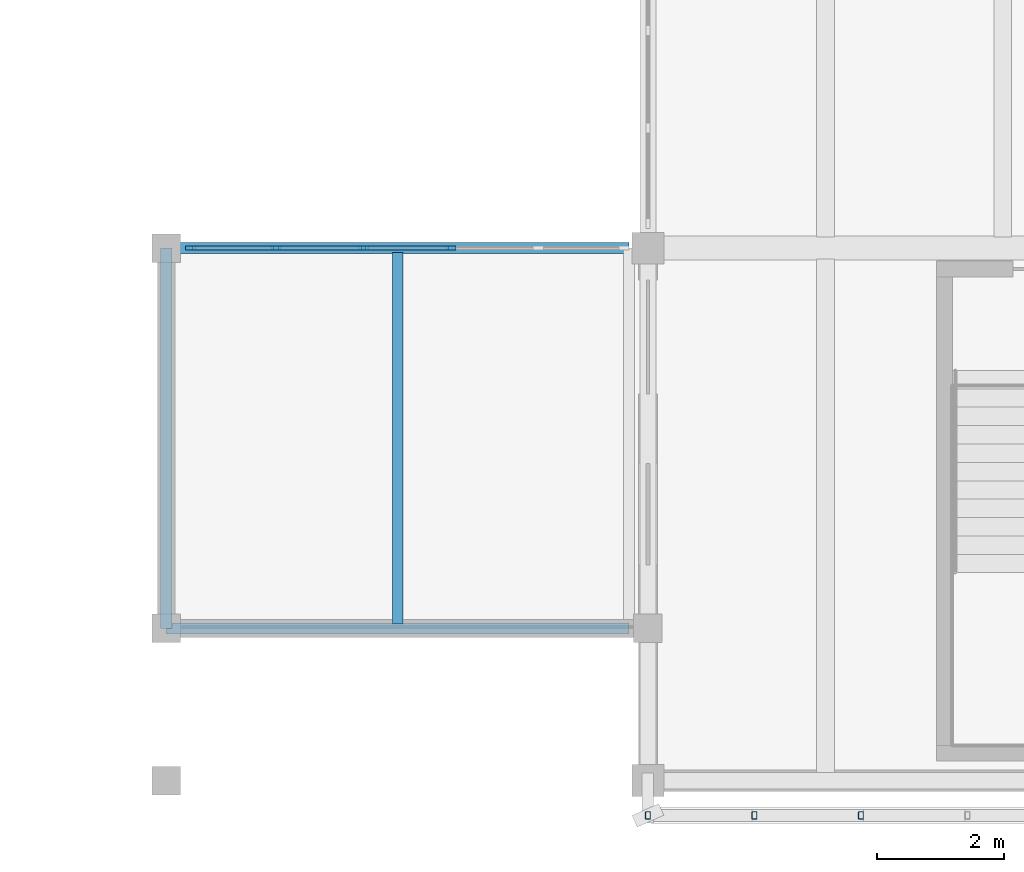
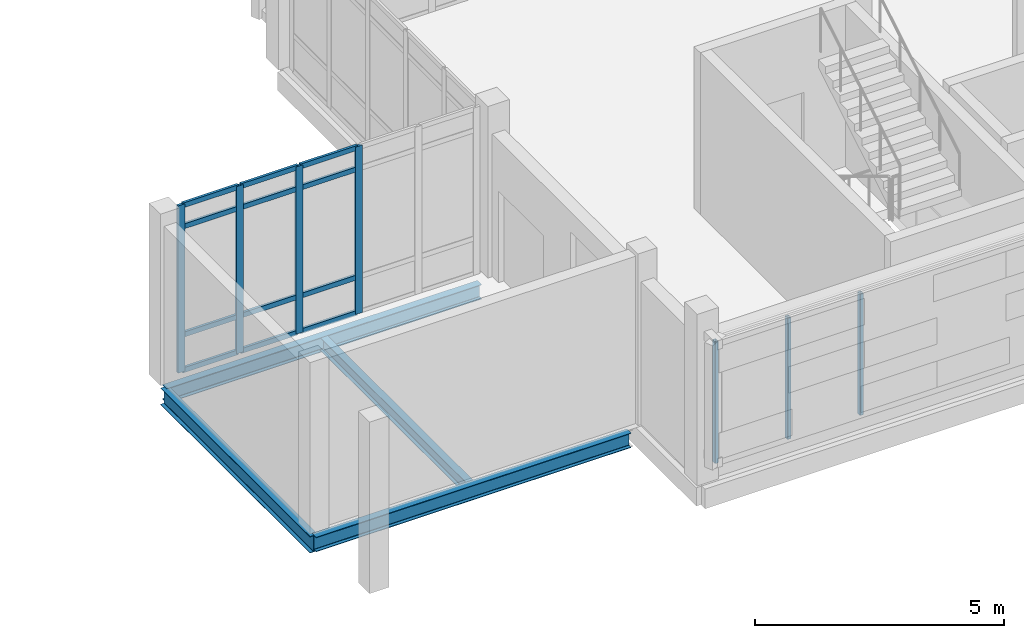
# One storey, part 7 of 137: 19 members, 4 beams, 1 element without a shape of its own.
"""IFC4 building model written with IfcOpenShell, lengths in metres."""

from ifc_helpers import new_model, si_unit, direction, frame, origin, origin_2d, place, context, subcontext, project, spatial, rectangle, hollow_rectangle, i_section, extrude, material, material_profile, profile_set, type_object, element, aggregate, save


model = new_model("IFC4")

# Units and contexts
model_context = context("Model", 3, precision=1e-05, world=origin(), true_north=direction((0.0, 1.0)))
body_context = subcontext(model_context, "Body", "Model", "MODEL_VIEW")
ifc_project = project(units=[si_unit("LENGTHUNIT", "METRE"), si_unit("AREAUNIT", "SQUARE_METRE"), si_unit("VOLUMEUNIT", "CUBIC_METRE"), si_unit("PLANEANGLEUNIT", "RADIAN"), si_unit("MASSUNIT", "GRAM", prefix="KILO")], contexts=[model_context])

# Site, building, storey
site_placement = place(None, origin())
site = spatial("IfcSite", under=ifc_project, at=site_placement, CompositionType="ELEMENT")
building_placement = place(site_placement, origin())
building = spatial("IfcBuilding", under=site, at=building_placement, Name="Cinderway Yard Community Centre", CompositionType="ELEMENT")
storey_placement = place(building_placement, frame((0.0, 0.0, 4.800048828125)))
storey = spatial("IfcBuildingStorey", under=building, at=storey_placement, Name="L01", CompositionType="ELEMENT", Elevation=4.800048828125)

# Curtain wall, members
ifc_material_1 = material(Name="Aluminium 6063-T6", Category="aluminium")
curtain_wall_type = type_object("IfcCurtainWallType", Name="ENV-CW-TYPE-36", PredefinedType="USERDEFINED", material=ifc_material_1)
curtain_wall_placement = place(storey_placement, origin())
curtain_wall = element("IfcCurtainWall", 1, at=curtain_wall_placement, inside=storey, type_object=curtain_wall_type, Name="West Arcade Courtyard Curtain Wall ENV-CW-L01-ST-0200", ObjectType="GLAZED CURTAIN WALL", PredefinedType="USERDEFINED")
ifc_material_profile_1 = material_profile(ifc_material_1, rectangle(XDim=0.06005859375, YDim=0.159912109375, at=origin_2d()), Name="Aluminium 6063-T6")
ifc_profile_set_1 = profile_set([ifc_material_profile_1], Name="Aluminium 6063-T6")
member_type_1 = type_object("IfcMemberType", Name="ENV-CW-MULL-150", PredefinedType="MULLION", material=ifc_profile_set_1)
member_1_placement = place(storey_placement, frame((51.179931640625, 14.39990234375, 0.0), z_axis=(0.0, 0.0, 1.0), x_axis=(0.0, 1.0, 0.0)))
member_1 = element("IfcMember", 2, at=member_1_placement, type_object=member_type_1, Name="CW-36 mullion 1", PredefinedType="MULLION", context=body_context, shape_type="SweptSolid", body=[
    extrude(rectangle(XDim=0.06005859375, YDim=0.159912109375, at=origin_2d()), origin(), (0.0, 0.0, 1.0), 4.099853515625),
])
member_2_placement = place(storey_placement, frame((52.530029296875, 14.39990234375, 0.0), z_axis=(0.0, 0.0, 1.0), x_axis=(0.0, 1.0, 0.0)))
member_2 = element("IfcMember", 3, at=member_2_placement, type_object=member_type_1, Name="CW-36 mullion 2", PredefinedType="MULLION", context=body_context, shape_type="SweptSolid", body=[
    extrude(rectangle(XDim=0.06005859375, YDim=0.159912109375, at=origin_2d()), origin(), (0.0, 0.0, 1.0), 4.099853515625),
])
member_3_placement = place(storey_placement, frame((53.909912109375, 14.39990234375, 0.0), z_axis=(0.0, 0.0, 1.0), x_axis=(0.0, 1.0, 0.0)))
member_3 = element("IfcMember", 4, at=member_3_placement, type_object=member_type_1, Name="CW-36 mullion 3", PredefinedType="MULLION", context=body_context, shape_type="SweptSolid", body=[
    extrude(rectangle(XDim=0.06005859375, YDim=0.159912109375, at=origin_2d()), origin(), (0.0, 0.0, 1.0), 4.099853515625),
])
member_4_placement = place(storey_placement, frame((55.2900390625, 14.39990234375, 0.0), z_axis=(0.0, 0.0, 1.0), x_axis=(0.0, 1.0, 0.0)))
member_4 = element("IfcMember", 5, at=member_4_placement, type_object=member_type_1, Name="CW-36 mullion 4", PredefinedType="MULLION", context=body_context, shape_type="SweptSolid", body=[
    extrude(rectangle(XDim=0.06005859375, YDim=0.159912109375, at=origin_2d()), origin(), (0.0, 0.0, 1.0), 4.099853515625),
])
ifc_material_profile_2 = material_profile(ifc_material_1, rectangle(XDim=0.06005859375, YDim=0.1201171875, at=origin_2d()), Name="Aluminium 6063-T6")
ifc_profile_set_2 = profile_set([ifc_material_profile_2], Name="Aluminium 6063-T6")
member_type_2 = type_object("IfcMemberType", Name="ENV-CW-TRAN-110", PredefinedType="USERDEFINED", material=ifc_profile_set_2)
member_5_placement = place(storey_placement, frame((51.2099609375, 14.39990234375, 0.030029296875), z_axis=(1.0, 0.0, 0.0), x_axis=(0.0, 1.0, 0.0)))
member_5 = element("IfcMember", 6, at=member_5_placement, type_object=member_type_2, Name="CW-36 transom 1.1", ObjectType="TRANSOM", PredefinedType="USERDEFINED", context=body_context, shape_type="SweptSolid", body=[
    extrude(rectangle(XDim=0.06005859375, YDim=0.1201171875, at=origin_2d()), origin(), (0.0, 0.0, 1.0), 1.2900390625),
])
member_6_placement = place(storey_placement, frame((51.2099609375, 14.39990234375, 0.89990234375), z_axis=(1.0, 0.0, 0.0), x_axis=(0.0, 1.0, 0.0)))
member_6 = element("IfcMember", 7, at=member_6_placement, type_object=member_type_2, Name="CW-36 transom 1.2", ObjectType="TRANSOM", PredefinedType="USERDEFINED", context=body_context, shape_type="SweptSolid", body=[
    extrude(rectangle(XDim=0.06005859375, YDim=0.1201171875, at=origin_2d()), origin(), (0.0, 0.0, 1.0), 1.2900390625),
])
member_7_placement = place(storey_placement, frame((51.2099609375, 14.39990234375, 3.550048828125), z_axis=(1.0, 0.0, 0.0), x_axis=(0.0, 1.0, 0.0)))
member_7 = element("IfcMember", 8, at=member_7_placement, type_object=member_type_2, Name="CW-36 transom 1.3", ObjectType="TRANSOM", PredefinedType="USERDEFINED", context=body_context, shape_type="SweptSolid", body=[
    extrude(rectangle(XDim=0.06005859375, YDim=0.1201171875, at=origin_2d()), origin(), (0.0, 0.0, 1.0), 1.2900390625),
])
member_8_placement = place(storey_placement, frame((51.2099609375, 14.39990234375, 4.070068359375), z_axis=(1.0, 0.0, 0.0), x_axis=(0.0, 1.0, 0.0)))
member_8 = element("IfcMember", 9, at=member_8_placement, type_object=member_type_2, Name="CW-36 transom 1.4", ObjectType="TRANSOM", PredefinedType="USERDEFINED", context=body_context, shape_type="SweptSolid", body=[
    extrude(rectangle(XDim=0.06005859375, YDim=0.1201171875, at=origin_2d()), origin(), (0.0, 0.0, 1.0), 1.2900390625),
])
member_9_placement = place(storey_placement, frame((52.56005859375, 14.39990234375, 0.030029296875), z_axis=(1.0, 0.0, 0.0), x_axis=(0.0, 1.0, 0.0)))
member_9 = element("IfcMember", 10, at=member_9_placement, type_object=member_type_2, Name="CW-36 transom 2.1", ObjectType="TRANSOM", PredefinedType="USERDEFINED", context=body_context, shape_type="SweptSolid", body=[
    extrude(rectangle(XDim=0.06005859375, YDim=0.1201171875, at=origin_2d()), origin(), (0.0, 0.0, 1.0), 1.31982421875),
])
member_10_placement = place(storey_placement, frame((52.56005859375, 14.39990234375, 0.89990234375), z_axis=(1.0, 0.0, 0.0), x_axis=(0.0, 1.0, 0.0)))
member_10 = element("IfcMember", 11, at=member_10_placement, type_object=member_type_2, Name="CW-36 transom 2.2", ObjectType="TRANSOM", PredefinedType="USERDEFINED", context=body_context, shape_type="SweptSolid", body=[
    extrude(rectangle(XDim=0.06005859375, YDim=0.1201171875, at=origin_2d()), origin(), (0.0, 0.0, 1.0), 1.31982421875),
])
member_11_placement = place(storey_placement, frame((52.56005859375, 14.39990234375, 3.550048828125), z_axis=(1.0, 0.0, 0.0), x_axis=(0.0, 1.0, 0.0)))
member_11 = element("IfcMember", 12, at=member_11_placement, type_object=member_type_2, Name="CW-36 transom 2.3", ObjectType="TRANSOM", PredefinedType="USERDEFINED", context=body_context, shape_type="SweptSolid", body=[
    extrude(rectangle(XDim=0.06005859375, YDim=0.1201171875, at=origin_2d()), origin(), (0.0, 0.0, 1.0), 1.31982421875),
])
member_12_placement = place(storey_placement, frame((52.56005859375, 14.39990234375, 4.070068359375), z_axis=(1.0, 0.0, 0.0), x_axis=(0.0, 1.0, 0.0)))
member_12 = element("IfcMember", 13, at=member_12_placement, type_object=member_type_2, Name="CW-36 transom 2.4", ObjectType="TRANSOM", PredefinedType="USERDEFINED", context=body_context, shape_type="SweptSolid", body=[
    extrude(rectangle(XDim=0.06005859375, YDim=0.1201171875, at=origin_2d()), origin(), (0.0, 0.0, 1.0), 1.31982421875),
])
member_13_placement = place(storey_placement, frame((53.93994140625, 14.39990234375, 0.030029296875), z_axis=(1.0, 0.0, 0.0), x_axis=(0.0, 1.0, 0.0)))
member_13 = element("IfcMember", 14, at=member_13_placement, type_object=member_type_2, Name="CW-36 transom 3.1", ObjectType="TRANSOM", PredefinedType="USERDEFINED", context=body_context, shape_type="SweptSolid", body=[
    extrude(rectangle(XDim=0.06005859375, YDim=0.1201171875, at=origin_2d()), origin(), (0.0, 0.0, 1.0), 1.320068359375),
])
member_14_placement = place(storey_placement, frame((53.93994140625, 14.39990234375, 0.89990234375), z_axis=(1.0, 0.0, 0.0), x_axis=(0.0, 1.0, 0.0)))
member_14 = element("IfcMember", 15, at=member_14_placement, type_object=member_type_2, Name="CW-36 transom 3.2", ObjectType="TRANSOM", PredefinedType="USERDEFINED", context=body_context, shape_type="SweptSolid", body=[
    extrude(rectangle(XDim=0.06005859375, YDim=0.1201171875, at=origin_2d()), origin(), (0.0, 0.0, 1.0), 1.320068359375),
])
member_15_placement = place(storey_placement, frame((53.93994140625, 14.39990234375, 3.550048828125), z_axis=(1.0, 0.0, 0.0), x_axis=(0.0, 1.0, 0.0)))
member_15 = element("IfcMember", 16, at=member_15_placement, type_object=member_type_2, Name="CW-36 transom 3.3", ObjectType="TRANSOM", PredefinedType="USERDEFINED", context=body_context, shape_type="SweptSolid", body=[
    extrude(rectangle(XDim=0.06005859375, YDim=0.1201171875, at=origin_2d()), origin(), (0.0, 0.0, 1.0), 1.320068359375),
])
member_16_placement = place(storey_placement, frame((53.93994140625, 14.39990234375, 4.070068359375), z_axis=(1.0, 0.0, 0.0), x_axis=(0.0, 1.0, 0.0)))
member_16 = element("IfcMember", 17, at=member_16_placement, type_object=member_type_2, Name="CW-36 transom 3.4", ObjectType="TRANSOM", PredefinedType="USERDEFINED", context=body_context, shape_type="SweptSolid", body=[
    extrude(rectangle(XDim=0.06005859375, YDim=0.1201171875, at=origin_2d()), origin(), (0.0, 0.0, 1.0), 1.320068359375),
])
aggregate(curtain_wall, [member_1, member_2, member_3, member_4, member_5, member_6, member_7, member_8, member_9, member_10, member_11, member_12, member_13, member_14, member_15, member_16])

# Members
ifc_material_2 = material(Name="Steel S355", Category="steel")
ifc_material_profile_3 = material_profile(ifc_material_2, hollow_rectangle(XDim=0.080078125, YDim=0.1201171875, WallThickness=0.00634765625, InnerFilletRadius=0.00634765625, OuterFilletRadius=0.0126953125, at=origin_2d()), Name="Steel S355")
ifc_profile_set_3 = profile_set([ifc_material_profile_3], Name="Steel S355")
member_type_3 = type_object("IfcMemberType", Name="ENV-MEM-SCREEN-RAIL-120", PredefinedType="STRINGER", material=ifc_profile_set_3)
for number, where, z_axis, x_axis, name in (
    (18, (58.39990234375, 5.449951171875, 0.68994140625), (0.0, 0.0, 1.0), (1.0, 0.0, 0.0), "Screen vertical mullion 0546"),
    (19, (60.080078125, 5.449951171875, 0.68994140625), (0.0, 0.0, 1.0), (1.0, 0.0, 0.0), "Screen vertical mullion 0547"),
    (20, (61.760009765625, 5.449951171875, 0.68994140625), (0.0, 0.0, 1.0), (1.0, 0.0, 0.0), "Screen vertical mullion 0548"),
):
    element("IfcMember", number, at=place(storey_placement, frame(where, z_axis=z_axis, x_axis=x_axis)), inside=storey, type_object=member_type_3, Name=name, PredefinedType="STRINGER", context=body_context, shape_type="SweptSolid", body=[
        extrude(hollow_rectangle(XDim=0.080078125, YDim=0.1201171875, WallThickness=0.00634765625, InnerFilletRadius=0.00634765625, OuterFilletRadius=0.0126953125, at=origin_2d()), origin(), (0.0, 0.0, 1.0), 2.969970703125),
    ])

# Beams
ifc_material_profile_4 = material_profile(ifc_material_2, i_section(OverallWidth=0.166015625, OverallDepth=0.31298828125, WebThickness=0.006591796875, FlangeThickness=0.01123046875, FilletRadius=0.010009765625, at=origin_2d()), Name="Steel S355")
ifc_profile_set_4 = profile_set([ifc_material_profile_4], Name="Steel S355")
beam_type_1 = type_object("IfcBeamType", Name="STR-BM-W310X45", PredefinedType="SPANDREL", material=ifc_profile_set_4)
beam_1_placement = place(storey_placement, frame((54.449951171875, 8.468017578125, -0.39697265625), z_axis=(0.0, 1.0, 0.0), x_axis=(-1.0, 0.0, 0.0)))
element("IfcBeam", 21, at=beam_1_placement, inside=storey, type_object=beam_type_1, Name="Secondary joist STR-BM-L01-SS01-0653", PredefinedType="SPANDREL", context=body_context, shape_type="SweptSolid", body=[
    extrude(i_section(OverallWidth=0.166015625, OverallDepth=0.31298828125, WebThickness=0.006591796875, FlangeThickness=0.01123046875, FilletRadius=0.010009765625, at=origin_2d()), origin(), (0.0, 0.0, 1.0), 5.864013671875),
])
ifc_material_profile_5 = material_profile(ifc_material_2, i_section(OverallWidth=0.172119140625, OverallDepth=0.35791015625, WebThickness=0.0078125, FlangeThickness=0.01318359375, FilletRadius=0.010986328125, at=origin_2d()), Name="Steel S355")
ifc_profile_set_5 = profile_set([ifc_material_profile_5], Name="Steel S355")
beam_type_2 = type_object("IfcBeamType", Name="STR-BM-W360X57", PredefinedType="JOIST", material=ifc_profile_set_5)
for number, where, z_axis, x_axis, name in (
    (22, (50.800048828125, 8.39990234375, -0.4189453125), (1.0, 0.0, 0.0), (0.0, 1.0, 0.0), "Primary girder STR-BM-L01-SJ03-0649"),
    (23, (50.800048828125, 14.39990234375, -0.4189453125), (1.0, 0.0, 0.0), (0.0, 1.0, 0.0), "Primary girder STR-BM-L01-SJ03-0650"),
):
    element("IfcBeam", number, at=place(storey_placement, frame(where, z_axis=z_axis, x_axis=x_axis)), inside=storey, type_object=beam_type_2, Name=name, PredefinedType="JOIST", context=body_context, shape_type="SweptSolid", body=[
        extrude(i_section(OverallWidth=0.172119140625, OverallDepth=0.35791015625, WebThickness=0.0078125, FlangeThickness=0.01318359375, FilletRadius=0.010986328125, at=origin_2d()), origin(), (0.0, 0.0, 1.0), 7.300048828125),
    ])
ifc_material_profile_6 = material_profile(ifc_material_2, i_section(OverallWidth=0.178955078125, OverallDepth=0.409912109375, WebThickness=0.0087890625, FlangeThickness=0.013427734375, FilletRadius=0.011962890625, at=origin_2d()), Name="Steel S355")
ifc_profile_set_6 = profile_set([ifc_material_profile_6], Name="Steel S355")
beam_type_3 = type_object("IfcBeamType", Name="STR-BM-W410X67", PredefinedType="JOIST", material=ifc_profile_set_6)
beam_2_placement = place(storey_placement, frame((50.800048828125, 8.39990234375, -0.445068359375), z_axis=(0.0, 1.0, 0.0), x_axis=(-1.0, 0.0, 0.0)))
element("IfcBeam", 24, at=beam_2_placement, inside=storey, type_object=beam_type_3, Name="Transverse girder STR-BM-L01-SJ02-0651", PredefinedType="JOIST", context=body_context, shape_type="SweptSolid", body=[
    extrude(i_section(OverallWidth=0.178955078125, OverallDepth=0.409912109375, WebThickness=0.0087890625, FlangeThickness=0.013427734375, FilletRadius=0.011962890625, at=origin_2d()), origin(), (0.0, 0.0, 1.0), 6.0),
])

save(model, "model.ifc")
